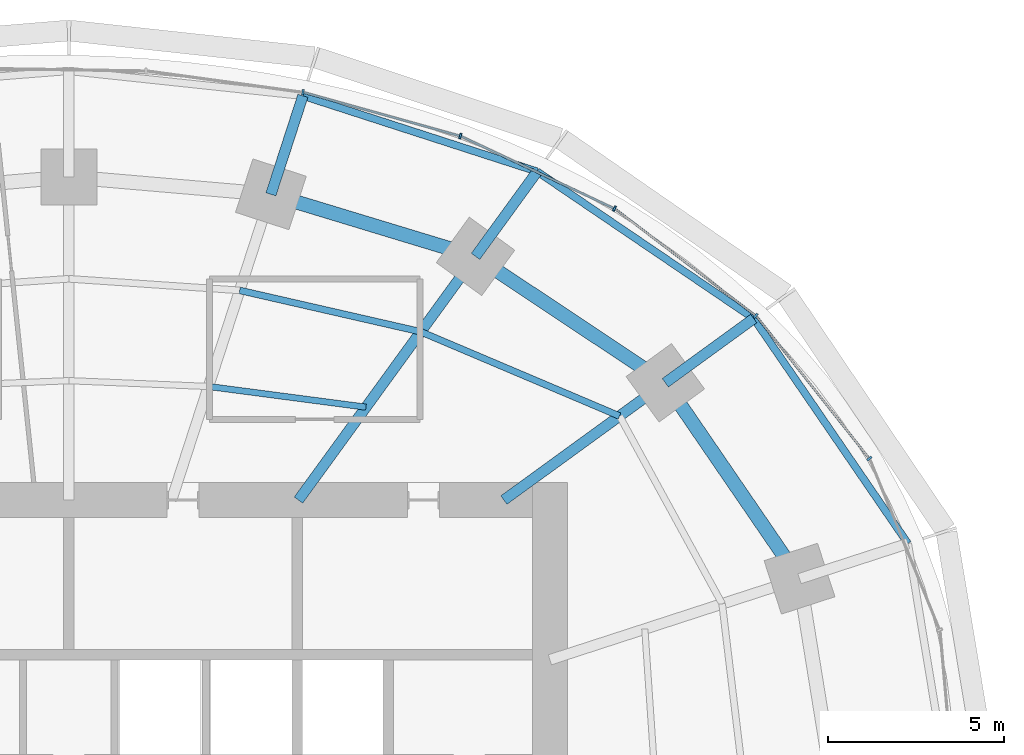
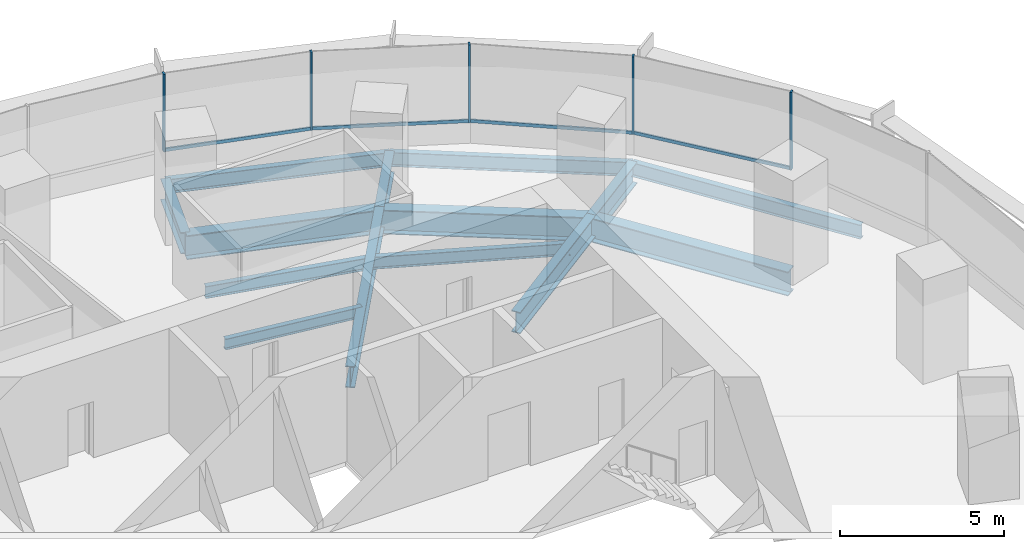
# One storey, part 8 of 14: 14 beams, 9 members, 2 elements without a shape of their own.
"""IFC4 building model written with IfcOpenShell, lengths in metres."""

from ifc_helpers import new_model, si_unit, direction, frame, origin, origin_2d, place, context, subcontext, project, spatial, rectangle, i_section, extrude, material, material_profile, profile_set, type_object, element, aggregate, save


model = new_model("IFC4")

# Units and contexts
model_context = context("Model", 3, precision=1e-05, world=origin(), true_north=direction((0.0, 1.0)))
body_context = subcontext(model_context, "Body", "Model", "MODEL_VIEW")
ifc_project = project(units=[si_unit("LENGTHUNIT", "METRE"), si_unit("AREAUNIT", "SQUARE_METRE"), si_unit("VOLUMEUNIT", "CUBIC_METRE"), si_unit("PLANEANGLEUNIT", "RADIAN"), si_unit("MASSUNIT", "GRAM", prefix="KILO")], contexts=[model_context])

# Site, building, storey
site_placement = place(None, origin())
site = spatial("IfcSite", under=ifc_project, at=site_placement, CompositionType="ELEMENT")
building_placement = place(site_placement, origin())
building = spatial("IfcBuilding", under=site, at=building_placement, Name="Marramba Exchange Tower", CompositionType="ELEMENT")
storey_placement = place(building_placement, frame((0.0, 0.0, 162.60009765625)))
storey = spatial("IfcBuildingStorey", under=building, at=storey_placement, Name="L39", CompositionType="ELEMENT", Elevation=162.60009765625)

# Beams
ifc_material_1 = material(Name="Steel AS/NZS 3679.2 grade 300", Category="steel")
ifc_material_profile_1 = material_profile(ifc_material_1, i_section(OverallWidth=0.300048828125, OverallDepth=0.800048828125, WebThickness=0.013916015625, FlangeThickness=0.031982421875, at=origin_2d()), Name="800WB192")
ifc_profile_set_1 = profile_set([ifc_material_profile_1], Name="Steel AS/NZS 3679.2 grade 300")
beam_type_1 = type_object("IfcBeamType", Name="Cantilever girder 800WB192", PredefinedType="BEAM", material=ifc_profile_set_1)
beam_1_placement = place(storey_placement, frame((16.98583984375, 12.3408203125, -0.56005859375), z_axis=(0.809013970709, 0.58778941399, 0.0), x_axis=(-0.58778941399, 0.809013970709, 0.0)))
element("IfcBeam", 1, at=beam_1_placement, inside=storey, type_object=beam_type_1, Name="Cantilever girder L39 TC03", PredefinedType="BEAM", context=body_context, shape_type="SweptSolid", body=[
    extrude(i_section(OverallWidth=0.300048828125, OverallDepth=0.800048828125, WebThickness=0.013916015625, FlangeThickness=0.031982421875, at=origin_2d()), origin(), (0.0, 0.0, 1.0), 3.1142578125),
])
beam_2_placement = place(storey_placement, frame((11.581298828125, 15.9404296875, -0.56005859375), z_axis=(0.587821738214, 0.808990484544, 0.0), x_axis=(-0.808990484544, 0.587821738214, 0.0)))
element("IfcBeam", 2, at=beam_2_placement, inside=storey, type_object=beam_type_1, Name="Cantilever girder L39 TC04", PredefinedType="BEAM", context=body_context, shape_type="SweptSolid", body=[
    extrude(i_section(OverallWidth=0.300048828125, OverallDepth=0.800048828125, WebThickness=0.013916015625, FlangeThickness=0.031982421875, at=origin_2d()), origin(), (0.0, 0.0, 1.0), 2.987060546875),
])
beam_3_placement = place(storey_placement, frame((5.75390625, 17.70849609375, -0.56005859375), z_axis=(0.309018704887, 0.951055960514, 0.0), x_axis=(-0.951055960514, 0.309018704887, 0.0)))
element("IfcBeam", 3, at=beam_3_placement, inside=storey, type_object=beam_type_1, Name="Cantilever girder L39 TC05", PredefinedType="BEAM", context=body_context, shape_type="SweptSolid", body=[
    extrude(i_section(OverallWidth=0.300048828125, OverallDepth=0.800048828125, WebThickness=0.013916015625, FlangeThickness=0.031982421875, at=origin_2d()), origin(), (0.0, 0.0, 1.0), 2.949951171875),
])
ifc_material_2 = material(Name="Steel AS/NZS 3679.1 grade 300", Category="steel")
ifc_material_profile_2 = material_profile(ifc_material_2, i_section(OverallWidth=0.177978515625, OverallDepth=0.406005859375, WebThickness=0.0078125, FlangeThickness=0.0126953125, FilletRadius=0.011474609375, at=origin_2d()), Name="410UB59.7")
ifc_profile_set_2 = profile_set([ifc_material_profile_2], Name="Steel AS/NZS 3679.1 grade 300")
beam_type_2 = type_object("IfcBeamType", Name="Floor joist 410UB59.7", PredefinedType="JOIST", material=ifc_profile_set_2)
beam_4_placement = place(storey_placement, frame((8.4619140625, 11.646728515625, -0.363037109375), z_axis=(-0.991480538255, 0.130254912618, 0.0), x_axis=(-0.130254912618, -0.991480538255, 0.0)))
element("IfcBeam", 4, at=beam_4_placement, inside=storey, type_object=beam_type_2, Name="Joist L39 bay 04 row 1", PredefinedType="JOIST", context=body_context, shape_type="SweptSolid", body=[
    extrude(i_section(OverallWidth=0.177978515625, OverallDepth=0.406005859375, WebThickness=0.0078125, FlangeThickness=0.0126953125, FilletRadius=0.011474609375, at=origin_2d()), origin(), (0.0, 0.0, 1.0), 4.524658203125),
])
ifc_material_profile_3 = material_profile(ifc_material_2, i_section(OverallWidth=0.18994140625, OverallDepth=0.4541015625, WebThickness=0.008544921875, FlangeThickness=0.0126953125, FilletRadius=0.011474609375, at=origin_2d()), Name="460UB67.1")
ifc_profile_set_3 = profile_set([ifc_material_profile_3], Name="Steel AS/NZS 3679.1 grade 300")
beam_type_3 = type_object("IfcBeamType", Name="Floor joist 460UB67.1", PredefinedType="JOIST", material=ifc_profile_set_3)
beam_5_placement = place(storey_placement, frame((15.682373046875, 11.393798828125, -0.38720703125), z_axis=(-0.920674336375, 0.390331610738, 0.0), x_axis=(-0.390331610738, -0.920674336375, 0.0)))
element("IfcBeam", 5, at=beam_5_placement, inside=storey, type_object=beam_type_3, Name="Joist L39 bay 03 row 2", PredefinedType="JOIST", context=body_context, shape_type="SweptSolid", body=[
    extrude(i_section(OverallWidth=0.18994140625, OverallDepth=0.4541015625, WebThickness=0.008544921875, FlangeThickness=0.0126953125, FilletRadius=0.011474609375, at=origin_2d()), origin(), (0.0, 0.0, 1.0), 6.1484375),
])
beam_6_placement = place(storey_placement, frame((10.021728515625, 13.793701171875, -0.38720703125), z_axis=(-0.974859652292, 0.222819788916, 0.0), x_axis=(-0.222819788916, -0.974859652292, 0.0)))
element("IfcBeam", 6, at=beam_6_placement, inside=storey, type_object=beam_type_3, Name="Joist L39 bay 04 row 2", PredefinedType="JOIST", context=body_context, shape_type="SweptSolid", body=[
    extrude(i_section(OverallWidth=0.18994140625, OverallDepth=0.4541015625, WebThickness=0.008544921875, FlangeThickness=0.0126953125, FilletRadius=0.011474609375, at=origin_2d()), origin(), (0.0, 0.0, 1.0), 5.2900390625),
])

# Curtain wall, members
ifc_material_3 = material(Name="Aluminium framing, bronze anodised", Category="aluminium")
curtain_wall_type = type_object("IfcCurtainWallType", Name="Office ribbon curtain wall", PredefinedType="USERDEFINED", material=ifc_material_3)
curtain_wall_1_placement = place(storey_placement, origin())
curtain_wall_1 = element("IfcCurtainWall", 7, at=curtain_wall_1_placement, inside=storey, type_object=curtain_wall_type, Name="Curtain wall CW4 L39 F01-F05", ObjectType="RIBBON CURTAIN WALL", PredefinedType="USERDEFINED")
ifc_material_4 = material(Name="Aluminium mullion, bronze anodised", Category="aluminium")
ifc_material_profile_4 = material_profile(ifc_material_4, rectangle(XDim=0.159912109375, YDim=0.06005859375, at=origin_2d()), Name="CW4 mullion 60x160")
ifc_profile_set_4 = profile_set([ifc_material_profile_4], Name="Aluminium mullion, bronze anodised")
member_type_1 = type_object("IfcMemberType", Name="Office ribbon curtain wall mullion", PredefinedType="MULLION", material=ifc_profile_set_4)
member_1_placement = place(storey_placement, frame((22.796630859375, 10.181640625, 0.7998046875), z_axis=(0.0, 0.0, 1.0), x_axis=(-0.783563266703, -0.621312004611, 0.0)))
member_1 = element("IfcMember", 8, at=member_1_placement, type_object=member_type_1, Name="CW4 mullion 1", PredefinedType="MULLION", context=body_context, shape_type="SweptSolid", body=[
    extrude(rectangle(XDim=0.159912109375, YDim=0.06005859375, at=origin_2d()), origin(), (0.0, 0.0, 1.0), 2.900146484375),
])
member_2_placement = place(storey_placement, frame((19.5625, 14.24853515625, 0.7998046875), z_axis=(0.0, 0.0, 1.0), x_axis=(-0.60533377223, -0.795971748366, 0.0)))
member_2 = element("IfcMember", 9, at=member_2_placement, type_object=member_type_1, Name="CW4 mullion 1", PredefinedType="MULLION", context=body_context, shape_type="SweptSolid", body=[
    extrude(rectangle(XDim=0.159912109375, YDim=0.06005859375, at=origin_2d()), origin(), (0.0, 0.0, 1.0), 2.900146484375),
])
member_3_placement = place(storey_placement, frame((15.538818359375, 17.300537109375, 0.7998046875), z_axis=(0.0, 0.0, 1.0), x_axis=(-0.426678995157, -0.904403137485, 0.0)))
member_3 = element("IfcMember", 10, at=member_3_placement, type_object=member_type_1, Name="CW4 mullion 1", PredefinedType="MULLION", context=body_context, shape_type="SweptSolid", body=[
    extrude(rectangle(XDim=0.159912109375, YDim=0.06005859375, at=origin_2d()), origin(), (0.0, 0.0, 1.0), 2.900146484375),
])

curtain_wall_2_placement = place(storey_placement, origin())
curtain_wall_2 = element("IfcCurtainWall", 11, at=curtain_wall_2_placement, inside=storey, type_object=curtain_wall_type, Name="Curtain wall CW4 L39 F06-F10", ObjectType="RIBBON CURTAIN WALL", PredefinedType="USERDEFINED")
member_4_placement = place(storey_placement, frame((11.147705078125, 19.366455078125, 0.7998046875), z_axis=(0.0, 0.0, 1.0), x_axis=(-0.268865090816, -0.963177845956, 0.0)))
member_4 = element("IfcMember", 12, at=member_4_placement, type_object=member_type_1, Name="CW4 mullion 1", PredefinedType="MULLION", context=body_context, shape_type="SweptSolid", body=[
    extrude(rectangle(XDim=0.159912109375, YDim=0.06005859375, at=origin_2d()), origin(), (0.0, 0.0, 1.0), 2.900146484375),
])
member_5_placement = place(storey_placement, frame((6.66650390625, 20.61328125, 0.7998046875), z_axis=(0.0, 0.0, 1.0), x_axis=(-0.135785837319, -0.990738212841, 0.0)))
member_5 = element("IfcMember", 13, at=member_5_placement, type_object=member_type_1, Name="CW4 mullion 1", PredefinedType="MULLION", context=body_context, shape_type="SweptSolid", body=[
    extrude(rectangle(XDim=0.159912109375, YDim=0.06005859375, at=origin_2d()), origin(), (0.0, 0.0, 1.0), 2.900146484375),
])

# Member
ifc_material_5 = material(Name="Aluminium transom, bronze anodised", Category="aluminium")
ifc_material_profile_5 = material_profile(ifc_material_5, rectangle(XDim=0.06005859375, YDim=0.1201171875, at=origin_2d()), Name="CW4 transom 60x120")
ifc_profile_set_5 = profile_set([ifc_material_profile_5], Name="Aluminium transom, bronze anodised")
member_type_2 = type_object("IfcMemberType", Name="Office ribbon curtain wall transom", PredefinedType="USERDEFINED", material=ifc_profile_set_5)
member_6_placement = place(storey_placement, frame((22.778076171875, 10.205078125, 0.829833984375), z_axis=(-0.621339379472, 0.783541559534, 0.0), x_axis=(-0.783541559534, -0.621339379472, 0.0)))
member_6 = element("IfcMember", 14, at=member_6_placement, type_object=member_type_2, Name="CW4 sill transom", ObjectType="TRANSOM", PredefinedType="USERDEFINED", context=body_context, shape_type="SweptSolid", body=[
    extrude(rectangle(XDim=0.06005859375, YDim=0.1201171875, at=origin_2d()), origin(), (0.0, 0.0, 1.0), 5.13720703125),
])

member_7_placement = place(storey_placement, frame((19.53857421875, 14.2666015625, 0.829833984375), z_axis=(-0.7959906025, 0.605308979556, 0.0), x_axis=(-0.605308979556, -0.7959906025, 0.0)))
member_7 = element("IfcMember", 15, at=member_7_placement, type_object=member_type_2, Name="CW4 sill transom", ObjectType="TRANSOM", PredefinedType="USERDEFINED", context=body_context, shape_type="SweptSolid", body=[
    extrude(rectangle(XDim=0.06005859375, YDim=0.1201171875, at=origin_2d()), origin(), (0.0, 0.0, 1.0), 4.99072265625),
])

member_8_placement = place(storey_placement, frame((15.51171875, 17.313232421875, 0.829833984375), z_axis=(-0.904410826824, 0.426662696193, 0.0), x_axis=(-0.426662696193, -0.904410826824, 0.0)))
member_8 = element("IfcMember", 16, at=member_8_placement, type_object=member_type_2, Name="CW4 sill transom", ObjectType="TRANSOM", PredefinedType="USERDEFINED", context=body_context, shape_type="SweptSolid", body=[
    extrude(rectangle(XDim=0.06005859375, YDim=0.1201171875, at=origin_2d()), origin(), (0.0, 0.0, 1.0), 4.79345703125),
])

aggregate(curtain_wall_1, [member_1, member_6, member_2, member_7, member_3, member_8])

member_9_placement = place(storey_placement, frame((11.118896484375, 19.37451171875, 0.829833984375), z_axis=(-0.963173567938, 0.268880415847, 0.0), x_axis=(-0.268880415847, -0.963173567938, 0.0)))
member_9 = element("IfcMember", 17, at=member_9_placement, type_object=member_type_2, Name="CW4 sill transom", ObjectType="TRANSOM", PredefinedType="USERDEFINED", context=body_context, shape_type="SweptSolid", body=[
    extrude(rectangle(XDim=0.06005859375, YDim=0.1201171875, at=origin_2d()), origin(), (0.0, 0.0, 1.0), 4.591796875),
])

aggregate(curtain_wall_2, [member_4, member_9, member_5])

# Beams
ifc_material_profile_6 = material_profile(ifc_material_1, i_section(OverallWidth=0.300048828125, OverallDepth=0.800048828125, WebThickness=0.013916015625, FlangeThickness=0.031982421875, at=origin_2d()), Name="800WB192")
ifc_profile_set_6 = profile_set([ifc_material_profile_6], Name="Steel AS/NZS 3679.2 grade 300")
beam_type_4 = type_object("IfcBeamType", Name="Radial girder 800WB192", PredefinedType="BEAM", material=ifc_profile_set_6)
beam_7_placement = place(storey_placement, frame((12.387451171875, 9.0, -0.56005859375), z_axis=(0.809025746925, 0.587773205252, 0.0), x_axis=(-0.587773205252, 0.809025746925, 0.0)))
element("IfcBeam", 18, at=beam_7_placement, inside=storey, type_object=beam_type_4, Name="Radial girder L39 TC03", PredefinedType="BEAM", context=body_context, shape_type="SweptSolid", body=[
    extrude(i_section(OverallWidth=0.300048828125, OverallDepth=0.800048828125, WebThickness=0.013916015625, FlangeThickness=0.031982421875, at=origin_2d()), origin(), (0.0, 0.0, 1.0), 5.683837890625),
])
beam_8_placement = place(storey_placement, frame((6.538818359375, 9.0, -0.56005859375), z_axis=(0.587782439969, 0.80901903764, 0.0), x_axis=(-0.80901903764, 0.587782439969, 0.0)))
element("IfcBeam", 19, at=beam_8_placement, inside=storey, type_object=beam_type_4, Name="Radial girder L39 TC04", PredefinedType="BEAM", context=body_context, shape_type="SweptSolid", body=[
    extrude(i_section(OverallWidth=0.300048828125, OverallDepth=0.800048828125, WebThickness=0.013916015625, FlangeThickness=0.031982421875, at=origin_2d()), origin(), (0.0, 0.0, 1.0), 8.578857421875),
])
ifc_material_profile_7 = material_profile(ifc_material_1, i_section(OverallWidth=0.39990234375, OverallDepth=0.89990234375, WebThickness=0.01611328125, FlangeThickness=0.031982421875, at=origin_2d()), Name="900WB282")
ifc_profile_set_7 = profile_set([ifc_material_profile_7], Name="Steel AS/NZS 3679.2 grade 300")
beam_type_5 = type_object("IfcBeamType", Name="Ring beam 900WB282", PredefinedType="SPANDREL", material=ifc_profile_set_7)
beam_9_placement = place(storey_placement, frame((20.808349609375, 6.760986328125, -0.610107421875), z_axis=(-0.56516002054, 0.824981303535, 0.0), x_axis=(-0.824981303535, -0.56516002054, 0.0)))
element("IfcBeam", 20, at=beam_9_placement, inside=storey, type_object=beam_type_5, Name="Ring beam L39 TC02-TC03", PredefinedType="SPANDREL", context=body_context, shape_type="SweptSolid", body=[
    extrude(i_section(OverallWidth=0.39990234375, OverallDepth=0.89990234375, WebThickness=0.01611328125, FlangeThickness=0.031982421875, at=origin_2d()), origin(), (0.0, 0.0, 1.0), 6.763671875),
])
beam_10_placement = place(storey_placement, frame((16.98583984375, 12.3408203125, -0.610107421875), z_axis=(-0.832293151443, 0.554335737673, 0.0), x_axis=(-0.554335737673, -0.832293151443, 0.0)))
element("IfcBeam", 21, at=beam_10_placement, inside=storey, type_object=beam_type_5, Name="Ring beam L39 TC03-TC04", PredefinedType="SPANDREL", context=body_context, shape_type="SweptSolid", body=[
    extrude(i_section(OverallWidth=0.39990234375, OverallDepth=0.89990234375, WebThickness=0.01611328125, FlangeThickness=0.031982421875, at=origin_2d()), origin(), (0.0, 0.0, 1.0), 6.49365234375),
])
beam_11_placement = place(storey_placement, frame((11.581298828125, 15.9404296875, -0.610107421875), z_axis=(-0.956924542524, 0.290336735387, 0.0), x_axis=(-0.290336735387, -0.956924542524, 0.0)))
element("IfcBeam", 22, at=beam_11_placement, inside=storey, type_object=beam_type_5, Name="Ring beam L39 TC04-TC05", PredefinedType="SPANDREL", context=body_context, shape_type="SweptSolid", body=[
    extrude(i_section(OverallWidth=0.39990234375, OverallDepth=0.89990234375, WebThickness=0.01611328125, FlangeThickness=0.031982421875, at=origin_2d()), origin(), (0.0, 0.0, 1.0), 6.089599609375),
])
ifc_material_profile_8 = material_profile(ifc_material_2, i_section(OverallWidth=0.208984375, OverallDepth=0.528076171875, WebThickness=0.009521484375, FlangeThickness=0.01318359375, FilletRadius=0.013916015625, at=origin_2d()), Name="530UB82.0")
ifc_profile_set_8 = profile_set([ifc_material_profile_8], Name="Steel AS/NZS 3679.1 grade 300")
beam_type_6 = type_object("IfcBeamType", Name="Slab edge beam 530UB82.0", PredefinedType="SPANDREL", material=ifc_profile_set_8)
beam_12_placement = place(storey_placement, frame((23.89501953125, 7.763916015625, -0.424072265625), z_axis=(-0.56517400038, 0.824971726361, 0.0), x_axis=(-0.824971726361, -0.56517400038, 0.0)))
element("IfcBeam", 23, at=beam_12_placement, inside=storey, type_object=beam_type_6, Name="Slab edge beam L39 TC02-TC03", PredefinedType="SPANDREL", context=body_context, shape_type="SweptSolid", body=[
    extrude(i_section(OverallWidth=0.208984375, OverallDepth=0.528076171875, WebThickness=0.009521484375, FlangeThickness=0.01318359375, FilletRadius=0.013916015625, at=origin_2d()), origin(), (0.0, 0.0, 1.0), 7.766845703125),
])
beam_13_placement = place(storey_placement, frame((19.50537109375, 14.17138671875, -0.424072265625), z_axis=(-0.827477404833, 0.561499015574, 0.0), x_axis=(-0.561499015574, -0.827477404833, 0.0)))
element("IfcBeam", 24, at=beam_13_placement, inside=storey, type_object=beam_type_6, Name="Slab edge beam L39 TC03-TC04", PredefinedType="SPANDREL", context=body_context, shape_type="SweptSolid", body=[
    extrude(i_section(OverallWidth=0.208984375, OverallDepth=0.528076171875, WebThickness=0.009521484375, FlangeThickness=0.01318359375, FilletRadius=0.013916015625, at=origin_2d()), origin(), (0.0, 0.0, 1.0), 7.454345703125),
])
beam_14_placement = place(storey_placement, frame((13.337158203125, 18.35693359375, -0.424072265625), z_axis=(-0.951496392577, 0.307659901373, 0.0), x_axis=(-0.307659901373, -0.951496392577, 0.0)))
element("IfcBeam", 25, at=beam_14_placement, inside=storey, type_object=beam_type_6, Name="Slab edge beam L39 TC04-TC05", PredefinedType="SPANDREL", context=body_context, shape_type="SweptSolid", body=[
    extrude(i_section(OverallWidth=0.208984375, OverallDepth=0.528076171875, WebThickness=0.009521484375, FlangeThickness=0.01318359375, FilletRadius=0.013916015625, at=origin_2d()), origin(), (0.0, 0.0, 1.0), 7.01171875),
])

save(model, "model.ifc")
